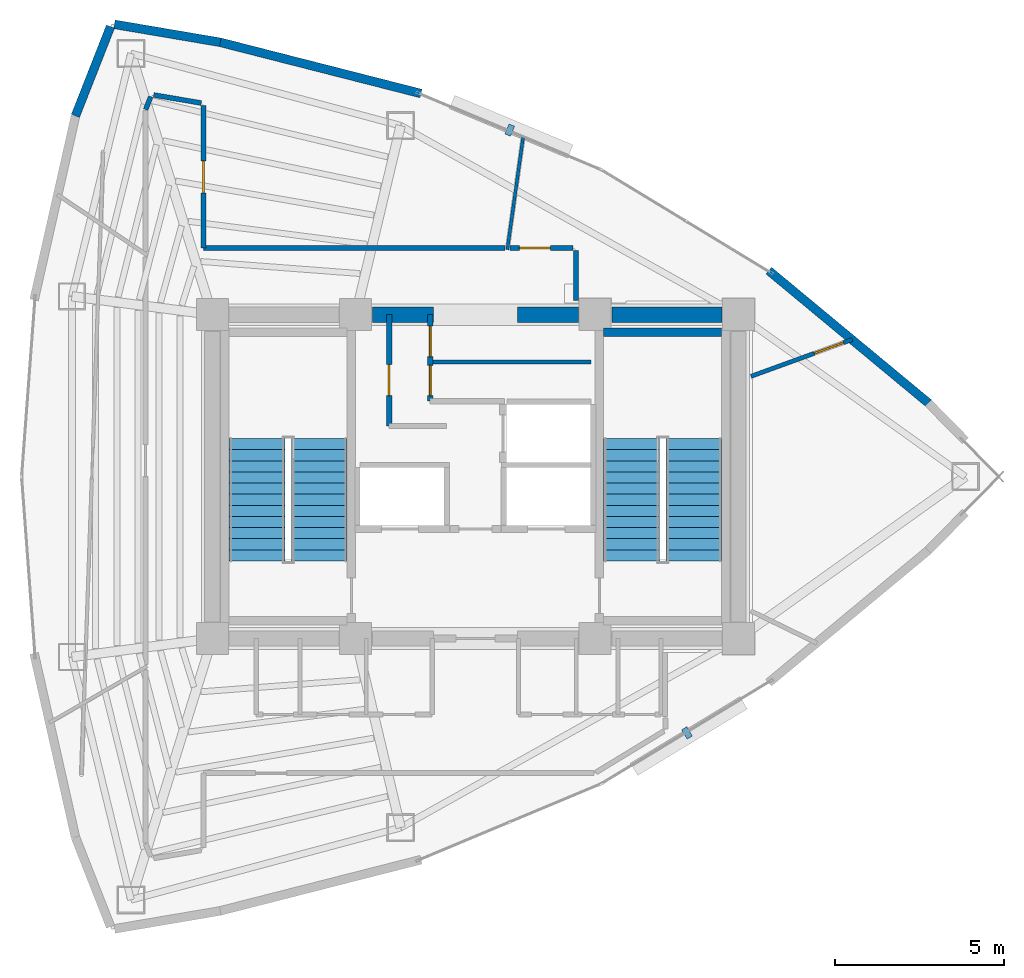
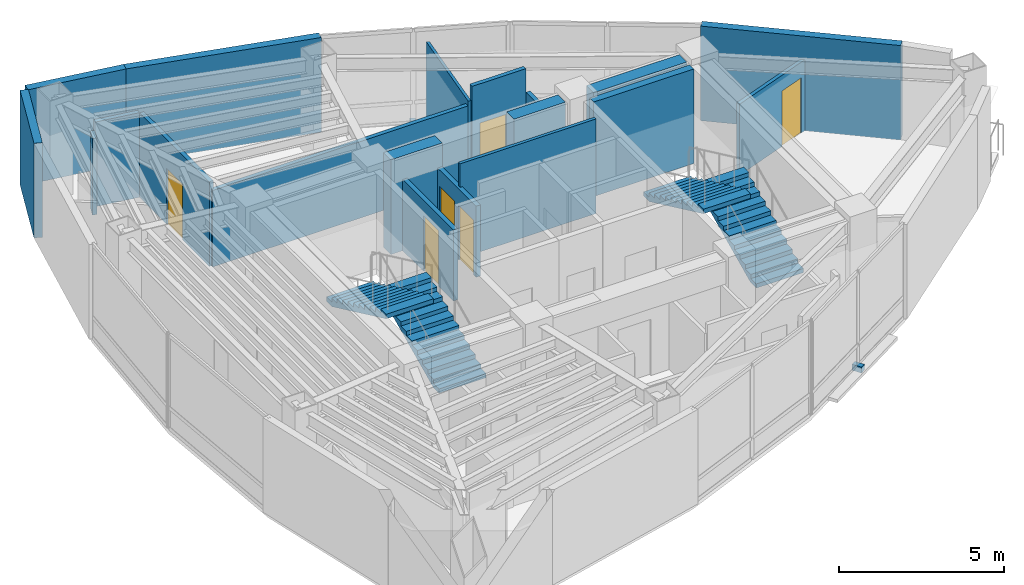
# One storey, part 13 of 16: 19 walls, 6 doors, 4 stair flights, 2 discrete accessories, 6 openings, 2 elements without a shape of their own.
"""IFC4 building model written with IfcOpenShell, lengths in metres."""

from ifc_helpers import new_model, si_unit, direction, frame, frame_2d, origin, origin_2d, place, context, subcontext, project, spatial, polyline, rectangle, outline, extrude, material, layer, layer_set, type_object, element, fill, aggregate, save


model = new_model("IFC4")

# Units and contexts
model_context = context("Model", 3, precision=1e-05, world=origin(), true_north=direction((0.0, 1.0)))
body_context = subcontext(model_context, "Body", "Model", "MODEL_VIEW")
ifc_project = project(units=[si_unit("LENGTHUNIT", "METRE"), si_unit("AREAUNIT", "SQUARE_METRE"), si_unit("VOLUMEUNIT", "CUBIC_METRE"), si_unit("PLANEANGLEUNIT", "RADIAN"), si_unit("MASSUNIT", "GRAM", prefix="KILO")], contexts=[model_context])

# Site, building, storey
site_placement = place(None, origin())
site = spatial("IfcSite", under=ifc_project, at=site_placement, CompositionType="ELEMENT")
building_placement = place(site_placement, origin())
building = spatial("IfcBuilding", under=site, at=building_placement, Name="Menara Vayukalpa", CompositionType="ELEMENT")
storey_placement = place(building_placement, frame((0.0, 0.0, 273.179931640625)))
storey = spatial("IfcBuildingStorey", under=building, at=storey_placement, Name="L69", CompositionType="ELEMENT", Elevation=273.179931640625)

# Walls
ifc_material_1 = material(Name="Concrete C50/60", Category="concrete")
ifc_layer_1 = layer(ifc_material_1, 0.449951171875)
ifc_layer_set_1 = layer_set([ifc_layer_1], Name="Concrete C50/60")
wall_type_1 = type_object("IfcWallType", Name="WAL-CW450", PredefinedType="SHEAR", material=ifc_layer_set_1)
wall_1_placement = place(storey_placement, frame((22.544921875, 26.800048828125, 0.0), z_axis=(0.0, 0.0, 1.0), x_axis=(1.0, 0.0, 0.0)))
element("IfcWall", 1, at=wall_1_placement, inside=storey, type_object=wall_type_1, Name="L69 Buttressed Core Shear Wall CWN2", PredefinedType="SHEAR", context=body_context, shape_type="SweptSolid", body=[
    extrude(rectangle(XDim=1.80517578125, YDim=0.449951171875, at=frame_2d((0.902587890625, 0.0))), origin(), (0.0, 0.0, 1.0), 3.5),
])
wall_2_placement = place(storey_placement, frame((26.85009765625, 26.800048828125, 0.0), z_axis=(0.0, 0.0, 1.0), x_axis=(1.0, 0.0, 0.0)))
element("IfcWall", 2, at=wall_2_placement, inside=storey, type_object=wall_type_1, Name="L69 Buttressed Core Shear Wall CWN3", PredefinedType="SHEAR", context=body_context, shape_type="SweptSolid", body=[
    extrude(rectangle(XDim=1.804931640625, YDim=0.449951171875, at=frame_2d((0.90234375, 0.0))), origin(), (0.0, 0.0, 1.0), 3.5),
])
wall_3_placement = place(storey_placement, frame((29.64501953125, 26.800048828125, 0.0), z_axis=(0.0, 0.0, 1.0), x_axis=(1.0, 0.0, 0.0)))
element("IfcWall", 3, at=wall_3_placement, inside=storey, type_object=wall_type_1, Name="L69 Buttressed Core Shear Wall CWN4", PredefinedType="SHEAR", context=body_context, shape_type="SweptSolid", body=[
    extrude(rectangle(XDim=3.260009765625, YDim=0.449951171875, at=frame_2d((1.6298828125, 0.0))), origin(), (0.0, 0.0, 1.0), 3.5),
])
ifc_material_2 = material(Name="Insulated Precast Concrete C40/50", Category="concrete")
ifc_layer_2 = layer(ifc_material_2, 0.260009765625)
ifc_layer_set_2 = layer_set([ifc_layer_2], Name="Insulated Precast Concrete C40/50")
wall_type_2 = type_object("IfcWallType", Name="WAL-EXT260", PredefinedType="PARTITIONING", material=ifc_layer_set_2)
wall_4_placement = place(storey_placement, frame((34.295166015625, 28.1083984375, 0.0), z_axis=(0.0, 0.0, 1.0), x_axis=(0.769779830138, -0.638309496337, 0.0)))
element("IfcWall", 4, at=wall_4_placement, inside=storey, type_object=wall_type_2, Name="L69 Perimeter Terracotta Pier Wall 03", PredefinedType="PARTITIONING", context=body_context, shape_type="SweptSolid", body=[
    extrude(rectangle(XDim=6.154052734375, YDim=0.260009765625, at=frame_2d((3.0771484375, 0.0))), origin(), (0.0, 0.0, 1.0), 3.5),
])
wall_5_placement = place(storey_placement, frame((18.0244140625, 34.878662109375, 0.0), z_axis=(0.0, 0.0, 1.0), x_axis=(0.968988278672, -0.247106689096, 0.0)))
element("IfcWall", 5, at=wall_5_placement, inside=storey, type_object=wall_type_2, Name="L69 Perimeter Terracotta Pier Wall 06", PredefinedType="PARTITIONING", context=body_context, shape_type="SweptSolid", body=[
    extrude(rectangle(XDim=6.154296875, YDim=0.260009765625, at=frame_2d((3.0771484375, 0.0))), origin(), (0.0, 0.0, 1.0), 3.5),
])
wall_6_placement = place(storey_placement, frame((14.900146484375, 35.40869140625, 0.0), z_axis=(0.0, 0.0, 1.0), x_axis=(0.985889432766, -0.167397808709, 0.0)))
element("IfcWall", 6, at=wall_6_placement, inside=storey, type_object=wall_type_2, Name="L69 Perimeter Terracotta Pier Wall 07", PredefinedType="PARTITIONING", context=body_context, shape_type="SweptSolid", body=[
    extrude(rectangle(XDim=3.180908203125, YDim=0.260009765625, at=frame_2d((1.59033203125, 0.0))), origin(), (0.0, 0.0, 1.0), 3.5),
])
wall_7_placement = place(storey_placement, frame((13.741943359375, 32.693359375, 0.0), z_axis=(0.0, 0.0, 1.0), x_axis=(0.36559927932, 0.930772349697, 0.0)))
element("IfcWall", 7, at=wall_7_placement, inside=storey, type_object=wall_type_2, Name="L69 Perimeter Terracotta Pier Wall 08", PredefinedType="PARTITIONING", context=body_context, shape_type="SweptSolid", body=[
    extrude(rectangle(XDim=2.845458984375, YDim=0.260009765625, at=frame_2d((1.4228515625, 0.0))), origin(), (0.0, 0.0, 1.0), 3.5),
])

# Wall, opening, door
ifc_material_3 = material(Name="Lightweight Concrete Blockwork C16/20", Category="masonry")
ifc_layer_3 = layer(ifc_material_3, 0.159912109375)
ifc_layer_set_3 = layer_set([ifc_layer_3], Name="Lightweight Concrete Blockwork C16/20")
wall_type_3 = type_object("IfcWallType", Name="WAL-FR150", PredefinedType="PARTITIONING", material=ifc_layer_set_3)
wall_8_placement = place(storey_placement, frame((23.0400390625, 23.5, 0.0), z_axis=(0.0, 0.0, 1.0), x_axis=(0.0, 1.0, 0.0)))
wall_8 = element("IfcWall", 8, at=wall_8_placement, inside=storey, type_object=wall_type_3, Name="L69 Interior Partition IW-L69-LV7WB", PredefinedType="PARTITIONING", context=body_context, shape_type="SweptSolid", body=[
    extrude(rectangle(XDim=3.300048828125, YDim=0.159912109375, at=frame_2d((1.64990234375, 0.0))), origin(), (0.0, 0.0, 1.0), 2.630126953125),
])
opening_1_placement = place(wall_8_placement, frame((0.89990234375, 0.0, 0.0)))
opening_1 = element("IfcOpeningElement", 9, at=opening_1_placement, cuts=wall_8, Name="Opening ID6", PredefinedType="OPENING", context=body_context, shape_type="SweptSolid", body=[
    extrude(rectangle(XDim=0.919921875, YDim=2.050048828125, at=frame_2d((0.4599609375, 1.02490234375))), frame((0.0, 0.08984375, 0.0), z_axis=(0.0, -1.0, 0.0), x_axis=(1.0, 0.0, 0.0)), (0.0, 0.0, 1.0), 0.179931640625),
])
ifc_material_4 = material(Name="Acoustic Hardwood Veneer Timber Door", Category="wood")
door_type_1 = type_object("IfcDoorType", Name="DR-INT92", OperationType="NOTDEFINED", PredefinedType="DOOR", material=ifc_material_4)
door_1_placement = place(opening_1_placement, origin())
door_1 = element("IfcDoor", 10, at=door_1_placement, inside=storey, type_object=door_type_1, Name="L69 Interior Door DR-L69-LV7W", OperationType="SINGLE_SWING_RIGHT", OverallHeight=2.050048828125, OverallWidth=0.919921875, PredefinedType="DOOR", context=body_context, shape_type="SweptSolid", body=[
    extrude(rectangle(XDim=0.919921875, YDim=2.050048828125, at=frame_2d((0.4599609375, 1.02490234375))), frame((0.0, 0.02490234375, 0.0), z_axis=(0.0, -1.0, 0.0), x_axis=(1.0, 0.0, 0.0)), (0.0, 0.0, 1.0), 0.050048828125),
])
fill(opening_1, door_1)

# Wall, openings, doors
wall_9_placement = place(storey_placement, frame((24.260009765625, 24.239990234375, 0.0), z_axis=(0.0, 0.0, 1.0), x_axis=(0.0, 1.0, 0.0)))
wall_9 = element("IfcWall", 11, at=wall_9_placement, inside=storey, type_object=wall_type_3, Name="L69 Interior Partition IW-L69-LV7EB", PredefinedType="PARTITIONING", context=body_context, shape_type="SweptSolid", body=[
    extrude(rectangle(XDim=2.56005859375, YDim=0.159912109375, at=frame_2d((1.280029296875, 0.0))), origin(), (0.0, 0.0, 1.0), 2.630126953125),
])
opening_2_placement = place(wall_9_placement, frame((0.159912109375, 0.0, 0.0)))
opening_2 = element("IfcOpeningElement", 12, at=opening_2_placement, cuts=wall_9, Name="Opening ID7", PredefinedType="OPENING", context=body_context, shape_type="SweptSolid", body=[
    extrude(rectangle(XDim=0.89990234375, YDim=2.02001953125, at=frame_2d((0.449951171875, 1.010009765625))), frame((0.0, 0.08984375, 0.0), z_axis=(0.0, -1.0, 0.0), x_axis=(1.0, 0.0, 0.0)), (0.0, 0.0, 1.0), 0.179931640625),
])
opening_3_placement = place(wall_9_placement, frame((1.320068359375, 0.0, 0.0)))
opening_3 = element("IfcOpeningElement", 13, at=opening_3_placement, cuts=wall_9, Name="Opening ID7", PredefinedType="OPENING", context=body_context, shape_type="SweptSolid", body=[
    extrude(rectangle(XDim=0.89990234375, YDim=2.02001953125, at=frame_2d((0.449951171875, 1.010009765625))), frame((0.0, 0.08984375, 0.0), z_axis=(0.0, -1.0, 0.0), x_axis=(1.0, 0.0, 0.0)), (0.0, 0.0, 1.0), 0.179931640625),
])
ifc_material_5 = material(Name="Powder-Coated Steel Riser Access Door", Category="steel")
door_type_2 = type_object("IfcDoorType", Name="DR-RISER", OperationType="NOTDEFINED", PredefinedType="DOOR", material=ifc_material_5)
door_2_placement = place(opening_2_placement, origin())
door_2 = element("IfcDoor", 14, at=door_2_placement, inside=storey, type_object=door_type_2, Name="L69 Interior Door DR-L69-LV7E1", OperationType="SINGLE_SWING_LEFT", OverallHeight=2.02001953125, OverallWidth=0.89990234375, PredefinedType="DOOR", context=body_context, shape_type="SweptSolid", body=[
    extrude(rectangle(XDim=0.89990234375, YDim=2.02001953125, at=frame_2d((0.449951171875, 1.010009765625))), frame((0.0, 0.02490234375, 0.0), z_axis=(0.0, -1.0, 0.0), x_axis=(1.0, 0.0, 0.0)), (0.0, 0.0, 1.0), 0.050048828125),
])
fill(opening_2, door_2)
door_3_placement = place(opening_3_placement, origin())
door_3 = element("IfcDoor", 15, at=door_3_placement, inside=storey, type_object=door_type_2, Name="L69 Interior Door DR-L69-LV7E2", OperationType="SINGLE_SWING_RIGHT", OverallHeight=2.02001953125, OverallWidth=0.89990234375, PredefinedType="DOOR", context=body_context, shape_type="SweptSolid", body=[
    extrude(rectangle(XDim=0.89990234375, YDim=2.02001953125, at=frame_2d((0.449951171875, 1.010009765625))), frame((0.0, 0.02490234375, 0.0), z_axis=(0.0, -1.0, 0.0), x_axis=(1.0, 0.0, 0.0)), (0.0, 0.0, 1.0), 0.050048828125),
])
fill(opening_3, door_3)

# Walls
ifc_material_6 = material(Name="Glazed Demountable Office Partition", Category="glass")
ifc_layer_4 = layer(ifc_material_6, 0.094970703125)
ifc_layer_set_4 = layer_set([ifc_layer_4], Name="Glazed Demountable Office Partition")
wall_type_4 = type_object("IfcWallType", Name="WAL-PT100", PredefinedType="PARTITIONING", material=ifc_layer_set_4)
wall_10_placement = place(storey_placement, frame((26.5458984375, 28.72998046875, 0.0), z_axis=(0.0, 0.0, 1.0), x_axis=(0.139120086599, 0.990275517977, 0.0)))
element("IfcWall", 16, at=wall_10_placement, inside=storey, type_object=wall_type_4, Name="L69 Interior Partition IW-L69-RDIV02", PredefinedType="PARTITIONING", context=body_context, shape_type="SweptSolid", body=[
    extrude(rectangle(XDim=3.386962890625, YDim=0.094970703125, at=frame_2d((1.693359375, 0.0))), origin(), (0.0, 0.0, 1.0), 2.97998046875),
])
ifc_material_7 = material(Name="Acoustic Mineral Stud Partition", Category="masonry")
ifc_layer_5 = layer(ifc_material_7, 0.110107421875)
ifc_layer_set_5 = layer_set([ifc_layer_5], Name="Acoustic Mineral Stud Partition")
wall_type_5 = type_object("IfcWallType", Name="WAL-PT110", PredefinedType="PARTITIONING", material=ifc_layer_set_5)
wall_11_placement = place(storey_placement, frame((24.260009765625, 25.39990234375, 0.0), z_axis=(0.0, 0.0, 1.0), x_axis=(1.0, 0.0, 0.0)))
element("IfcWall", 17, at=wall_11_placement, inside=storey, type_object=wall_type_5, Name="L69 Interior Partition IW-L69-LV7EM", PredefinedType="PARTITIONING", context=body_context, shape_type="SweptSolid", body=[
    extrude(rectangle(XDim=4.760009765625, YDim=0.110107421875, at=frame_2d((2.3798828125, 0.0))), origin(), (0.0, 0.0, 1.0), 3.5),
])

# Wall, opening, door
ifc_material_8 = material(Name="Gypsum Drywall Steel Stud Assembly", Category="steel")
ifc_layer_6 = layer(ifc_material_8, 0.125)
ifc_layer_set_6 = layer_set([ifc_layer_6], Name="Gypsum Drywall Steel Stud Assembly")
wall_type_6 = type_object("IfcWallType", Name="WAL-PT125", PredefinedType="PARTITIONING", material=ifc_layer_set_6)
wall_12_placement = place(storey_placement, frame((33.77001953125, 24.9736328125, 0.0), z_axis=(0.0, 0.0, 1.0), x_axis=(0.939697478327, 0.342006797047, 0.0)))
wall_12 = element("IfcWall", 18, at=wall_12_placement, inside=storey, type_object=wall_type_6, Name="L69 Interior Partition IW-L69-RDIV01", PredefinedType="PARTITIONING", context=body_context, shape_type="SweptSolid", body=[
    extrude(rectangle(XDim=3.19580078125, YDim=0.125, at=frame_2d((1.597900390625, 0.0))), origin(), (0.0, 0.0, 1.0), 2.630126953125),
])
opening_4_placement = place(wall_12_placement, frame((1.995849609375, 0.0, 0.0)))
opening_4 = element("IfcOpeningElement", 19, at=opening_4_placement, cuts=wall_12, Name="Opening ID6", PredefinedType="OPENING", context=body_context, shape_type="SweptSolid", body=[
    extrude(rectangle(XDim=0.919921875, YDim=2.050048828125, at=frame_2d((0.4599609375, 1.02490234375))), frame((0.0, 0.072509765625, 0.0), z_axis=(0.0, -1.0, 0.0), x_axis=(1.0, 0.0, 0.0)), (0.0, 0.0, 1.0), 0.14501953125),
])
door_4_placement = place(opening_4_placement, origin())
door_4 = element("IfcDoor", 20, at=door_4_placement, inside=storey, type_object=door_type_1, Name="L69 Interior Door DR-L69-STE03", OperationType="SINGLE_SWING_LEFT", OverallHeight=2.050048828125, OverallWidth=0.919921875, PredefinedType="DOOR", context=body_context, shape_type="SweptSolid", body=[
    extrude(rectangle(XDim=0.919921875, YDim=2.050048828125, at=frame_2d((0.4599609375, 1.02490234375))), frame((0.0, 0.02490234375, 0.0), z_axis=(0.0, -1.0, 0.0), x_axis=(1.0, 0.0, 0.0)), (0.0, 0.0, 1.0), 0.050048828125),
])
fill(opening_4, door_4)

# Wall
ifc_material_9 = material(Name="Gypsum Drywall Acoustic Stud Assembly", Category="masonry")
ifc_layer_7 = layer(ifc_material_9, 0.14501953125)
ifc_layer_set_7 = layer_set([ifc_layer_7], Name="Gypsum Drywall Acoustic Stud Assembly")
wall_type_7 = type_object("IfcWallType", Name="WAL-PT150", PredefinedType="PARTITIONING", material=ifc_layer_set_7)
wall_13_placement = place(storey_placement, frame((28.580078125, 27.219970703125, 0.0), z_axis=(0.0, 0.0, 1.0), x_axis=(0.0, 1.0, 0.0)))
element("IfcWall", 21, at=wall_13_placement, inside=storey, type_object=wall_type_7, Name="L69 Interior Partition IW-L69-CRM04-1", PredefinedType="PARTITIONING", context=body_context, shape_type="SweptSolid", body=[
    extrude(rectangle(XDim=1.47998046875, YDim=0.14501953125, at=frame_2d((0.739990234375, 0.0))), origin(), (0.0, 0.0, 1.0), 2.630126953125),
])

# Wall, opening, door
wall_14_placement = place(storey_placement, frame((28.5, 28.780029296875, 0.0), z_axis=(0.0, 0.0, 1.0), x_axis=(-1.0, 0.0, 0.0)))
wall_14 = element("IfcWall", 22, at=wall_14_placement, inside=storey, type_object=wall_type_7, Name="L69 Interior Partition IW-L69-CRM04-2", PredefinedType="PARTITIONING", context=body_context, shape_type="SweptSolid", body=[
    extrude(rectangle(XDim=1.87646484375, YDim=0.14501953125, at=frame_2d((0.938232421875, 0.0))), origin(), (0.0, 0.0, 1.0), 3.5),
])
opening_5_placement = place(wall_14_placement, frame((0.676513671875, 0.0, 0.0)))
opening_5 = element("IfcOpeningElement", 23, at=opening_5_placement, cuts=wall_14, Name="Opening ID6", PredefinedType="OPENING", context=body_context, shape_type="SweptSolid", body=[
    extrude(rectangle(XDim=0.919921875, YDim=2.050048828125, at=frame_2d((0.4599609375, 1.02490234375))), frame((0.0, 0.08251953125, 0.0), z_axis=(0.0, -1.0, 0.0), x_axis=(1.0, 0.0, 0.0)), (0.0, 0.0, 1.0), 0.1650390625),
])
door_5_placement = place(opening_5_placement, origin())
door_5 = element("IfcDoor", 24, at=door_5_placement, inside=storey, type_object=door_type_1, Name="L69 Interior Door DR-L69-RM04", OperationType="SINGLE_SWING_RIGHT", OverallHeight=2.050048828125, OverallWidth=0.919921875, PredefinedType="DOOR", context=body_context, shape_type="SweptSolid", body=[
    extrude(rectangle(XDim=0.919921875, YDim=2.050048828125, at=frame_2d((0.4599609375, 1.02490234375))), frame((0.0, 0.02490234375, 0.0), z_axis=(0.0, -1.0, 0.0), x_axis=(1.0, 0.0, 0.0)), (0.0, 0.0, 1.0), 0.050048828125),
])
fill(opening_5, door_5)

# Wall
wall_15_placement = place(storey_placement, frame((26.482177734375, 28.780029296875, 0.0), z_axis=(0.0, 0.0, 1.0), x_axis=(-1.0, 0.0, 0.0)))
element("IfcWall", 25, at=wall_15_placement, inside=storey, type_object=wall_type_7, Name="L69 Interior Partition IW-L69-CRM05-1", PredefinedType="PARTITIONING", context=body_context, shape_type="SweptSolid", body=[
    extrude(rectangle(XDim=8.942138671875, YDim=0.14501953125, at=frame_2d((4.47119140625, 0.0))), origin(), (0.0, 0.0, 1.0), 2.830078125),
])

# Wall, opening, door
wall_16_placement = place(storey_placement, frame((17.5400390625, 28.780029296875, 0.0), z_axis=(0.0, 0.0, 1.0), x_axis=(0.0, 1.0, 0.0)))
wall_16 = element("IfcWall", 26, at=wall_16_placement, inside=storey, type_object=wall_type_7, Name="L69 Interior Partition IW-L69-CRM05-2", PredefinedType="PARTITIONING", context=body_context, shape_type="SweptSolid", body=[
    extrude(rectangle(XDim=4.216064453125, YDim=0.14501953125, at=frame_2d((2.10791015625, 0.0))), origin(), (0.0, 0.0, 1.0), 3.130126953125),
])
opening_6_placement = place(wall_16_placement, frame((1.633056640625, 0.0, 0.0)))
opening_6 = element("IfcOpeningElement", 27, at=opening_6_placement, cuts=wall_16, Name="Opening ID5", PredefinedType="OPENING", context=body_context, shape_type="SweptSolid", body=[
    extrude(rectangle(XDim=0.949951171875, YDim=2.06005859375, at=frame_2d((0.47509765625, 1.030029296875))), frame((0.0, 0.08251953125, 0.0), z_axis=(0.0, -1.0, 0.0), x_axis=(1.0, 0.0, 0.0)), (0.0, 0.0, 1.0), 0.1650390625),
])
ifc_material_10 = material(Name="Acoustic Hardwood Veneer Timber Door", Category="wood")
door_type_3 = type_object("IfcDoorType", Name="DR-INT95", OperationType="NOTDEFINED", PredefinedType="DOOR", material=ifc_material_10)
door_6_placement = place(opening_6_placement, origin())
door_6 = element("IfcDoor", 28, at=door_6_placement, inside=storey, type_object=door_type_3, Name="L69 Interior Door DR-L69-RM05", OperationType="SINGLE_SWING_LEFT", OverallHeight=2.06005859375, OverallWidth=0.949951171875, PredefinedType="DOOR", context=body_context, shape_type="SweptSolid", body=[
    extrude(rectangle(XDim=0.949951171875, YDim=2.06005859375, at=frame_2d((0.47509765625, 1.030029296875))), frame((0.0, 0.02490234375, 0.0), z_axis=(0.0, -1.0, 0.0), x_axis=(1.0, 0.0, 0.0)), (0.0, 0.0, 1.0), 0.050048828125),
])
fill(opening_6, door_6)

# Walls
wall_17_placement = place(storey_placement, frame((17.473388671875, 33.074951171875, 0.0), z_axis=(0.0, 0.0, 1.0), x_axis=(-0.985881780308, 0.167442871621, 0.0)))
element("IfcWall", 29, at=wall_17_placement, inside=storey, type_object=wall_type_7, Name="L69 Interior Partition IW-L69-CRM05-3", PredefinedType="PARTITIONING", context=body_context, shape_type="SweptSolid", body=[
    extrude(rectangle(XDim=1.430419921875, YDim=0.14501953125, at=frame_2d((0.71533203125, 0.0))), origin(), (0.0, 0.0, 1.0), 3.130126953125),
])
wall_18_placement = place(storey_placement, frame((15.975341796875, 33.2646484375, 0.0), z_axis=(0.0, 0.0, 1.0), x_axis=(-0.365633948196, -0.930758731319, 0.0)))
element("IfcWall", 30, at=wall_18_placement, inside=storey, type_object=wall_type_7, Name="L69 Interior Partition IW-L69-CRM05-4", PredefinedType="PARTITIONING", context=body_context, shape_type="SweptSolid", body=[
    extrude(rectangle(XDim=0.409912109375, YDim=0.14501953125, at=frame_2d((0.205078125, 0.0))), origin(), (0.0, 0.0, 1.0), 2.830078125),
])
ifc_material_11 = material(Name="Concrete C50/60", Category="concrete")
ifc_layer_8 = layer(ifc_material_11, 0.25)
ifc_layer_set_8 = layer_set([ifc_layer_8], Name="Concrete C50/60")
wall_type_8 = type_object("IfcWallType", Name="WAL-SW250", PredefinedType="SHEAR", material=ifc_layer_set_8)
wall_19_placement = place(storey_placement, frame((29.39990234375, 26.27490234375, 0.0), z_axis=(0.0, 0.0, 1.0), x_axis=(1.0, 0.0, 0.0)))
element("IfcWall", 31, at=wall_19_placement, inside=storey, type_object=wall_type_8, Name="L69 ST2 Structural Stair Shaft Wall N", PredefinedType="SHEAR", context=body_context, shape_type="SweptSolid", body=[
    extrude(rectangle(XDim=3.5, YDim=0.25, at=frame_2d((1.75, 0.0))), origin(), (0.0, 0.0, 1.0), 3.5),
])

# Stair, stair flights
ifc_material_12 = material(Name="Precast Concrete C40/50", Category="concrete")
stair_type = type_object("IfcStairType", Name="STR-T04", PredefinedType="DOUBLE_RETURN_STAIR", material=ifc_material_12)
stair_1_placement = place(storey_placement, origin())
stair_1 = element("IfcStair", 32, at=stair_1_placement, inside=storey, type_object=stair_type, Name="L69 Core Exit Stair ST-1", PredefinedType="DOUBLE_RETURN_STAIR")
ifc_material_13 = material(Name="Precast Concrete C40/50", Category="concrete")
stair_flight_type = type_object("IfcStairFlightType", Name="STF-T04", PredefinedType="STRAIGHT", material=ifc_material_13)
stair_flight_1_placement = place(storey_placement, frame((20.97509765625, 19.5, 0.0), z_axis=(0.0, 0.0, 1.0), x_axis=(0.0, 1.0, 0.0)))
stair_flight_1 = element("IfcStairFlight", 33, at=stair_flight_1_placement, type_object=stair_flight_type, Name="ST-1 flight 1", NumberOfRisers=12, NumberOfTreads=11, PredefinedType="STRAIGHT", RiserHeight=0.155, TreadLength=0.33, context=body_context, shape_type="SweptSolid", body=[
    extrude(outline(polyline([(0.0, 0.0), (0.0, 0.155029296875), (0.330078125, 0.155029296875), (0.330078125, 0.31005859375), (0.659912109375, 0.31005859375), (0.659912109375, 0.465087890625), (0.989990234375, 0.465087890625), (0.989990234375, 0.6201171875), (1.320068359375, 0.6201171875), (1.320068359375, 0.77490234375), (1.64990234375, 0.77490234375), (1.64990234375, 0.929931640625), (1.97998046875, 0.929931640625), (1.97998046875, 1.0849609375), (2.31005859375, 1.0849609375), (2.31005859375, 1.239990234375), (2.639892578125, 1.239990234375), (2.639892578125, 1.39501953125), (2.969970703125, 1.39501953125), (2.969970703125, 1.550048828125), (3.300048828125, 1.550048828125), (3.300048828125, 1.705078125), (3.6298828125, 1.705078125), (3.6298828125, 1.860107421875), (3.6298828125, 1.539306640625), (0.3525390625, 0.0), (0.0, 0.0)])), frame((0.0, 0.824951171875, 0.0), z_axis=(0.0, -1.0, 0.0), x_axis=(1.0, 0.0, 0.0)), (0.0, 0.0, 1.0), 1.64990234375),
])
stair_flight_2_placement = place(storey_placement, frame((19.125, 23.1298828125, 1.860107421875), z_axis=(0.0, 0.0, 1.0), x_axis=(0.0, -1.0, 0.0)))
stair_flight_2 = element("IfcStairFlight", 34, at=stair_flight_2_placement, type_object=stair_flight_type, Name="ST-1 flight 2", NumberOfRisers=12, NumberOfTreads=11, PredefinedType="STRAIGHT", RiserHeight=0.155, TreadLength=0.33, context=body_context, shape_type="SweptSolid", body=[
    extrude(outline(polyline([(0.0, 0.0), (0.0, 0.155029296875), (0.330078125, 0.155029296875), (0.330078125, 0.31005859375), (0.659912109375, 0.31005859375), (0.659912109375, 0.465087890625), (0.989990234375, 0.465087890625), (0.989990234375, 0.6201171875), (1.320068359375, 0.6201171875), (1.320068359375, 0.77490234375), (1.64990234375, 0.77490234375), (1.64990234375, 0.929931640625), (1.97998046875, 0.929931640625), (1.97998046875, 1.0849609375), (2.31005859375, 1.0849609375), (2.31005859375, 1.239990234375), (2.639892578125, 1.239990234375), (2.639892578125, 1.39501953125), (2.969970703125, 1.39501953125), (2.969970703125, 1.550048828125), (3.300048828125, 1.550048828125), (3.300048828125, 1.705078125), (3.6298828125, 1.705078125), (3.6298828125, 1.860107421875), (3.6298828125, 1.539306640625), (0.3525390625, 0.0), (0.0, 0.0)])), frame((0.0, 0.824951171875, 0.0), z_axis=(0.0, -1.0, 0.0), x_axis=(1.0, 0.0, 0.0)), (0.0, 0.0, 1.0), 1.64990234375),
])
aggregate(stair_1, [stair_flight_1, stair_flight_2])

stair_2_placement = place(storey_placement, origin())
stair_2 = element("IfcStair", 35, at=stair_2_placement, inside=storey, type_object=stair_type, Name="L69 Core Exit Stair ST-2", PredefinedType="DOUBLE_RETURN_STAIR")
stair_flight_3_placement = place(storey_placement, frame((32.074951171875, 19.5, 0.0), z_axis=(0.0, 0.0, 1.0), x_axis=(0.0, 1.0, 0.0)))
stair_flight_3 = element("IfcStairFlight", 36, at=stair_flight_3_placement, type_object=stair_flight_type, Name="ST-2 flight 1", NumberOfRisers=12, NumberOfTreads=11, PredefinedType="STRAIGHT", RiserHeight=0.155, TreadLength=0.33, context=body_context, shape_type="SweptSolid", body=[
    extrude(outline(polyline([(0.0, 0.0), (0.0, 0.155029296875), (0.330078125, 0.155029296875), (0.330078125, 0.31005859375), (0.659912109375, 0.31005859375), (0.659912109375, 0.465087890625), (0.989990234375, 0.465087890625), (0.989990234375, 0.6201171875), (1.320068359375, 0.6201171875), (1.320068359375, 0.77490234375), (1.64990234375, 0.77490234375), (1.64990234375, 0.929931640625), (1.97998046875, 0.929931640625), (1.97998046875, 1.0849609375), (2.31005859375, 1.0849609375), (2.31005859375, 1.239990234375), (2.639892578125, 1.239990234375), (2.639892578125, 1.39501953125), (2.969970703125, 1.39501953125), (2.969970703125, 1.550048828125), (3.300048828125, 1.550048828125), (3.300048828125, 1.705078125), (3.6298828125, 1.705078125), (3.6298828125, 1.860107421875), (3.6298828125, 1.539306640625), (0.3525390625, 0.0), (0.0, 0.0)])), frame((0.0, 0.824951171875, 0.0), z_axis=(0.0, -1.0, 0.0), x_axis=(1.0, 0.0, 0.0)), (0.0, 0.0, 1.0), 1.64990234375),
])
stair_flight_4_placement = place(storey_placement, frame((30.22509765625, 23.1298828125, 1.860107421875), z_axis=(0.0, 0.0, 1.0), x_axis=(0.0, -1.0, 0.0)))
stair_flight_4 = element("IfcStairFlight", 37, at=stair_flight_4_placement, type_object=stair_flight_type, Name="ST-2 flight 2", NumberOfRisers=12, NumberOfTreads=11, PredefinedType="STRAIGHT", RiserHeight=0.155, TreadLength=0.33, context=body_context, shape_type="SweptSolid", body=[
    extrude(outline(polyline([(0.0, 0.0), (0.0, 0.155029296875), (0.330078125, 0.155029296875), (0.330078125, 0.31005859375), (0.659912109375, 0.31005859375), (0.659912109375, 0.465087890625), (0.989990234375, 0.465087890625), (0.989990234375, 0.6201171875), (1.320068359375, 0.6201171875), (1.320068359375, 0.77490234375), (1.64990234375, 0.77490234375), (1.64990234375, 0.929931640625), (1.97998046875, 0.929931640625), (1.97998046875, 1.0849609375), (2.31005859375, 1.0849609375), (2.31005859375, 1.239990234375), (2.639892578125, 1.239990234375), (2.639892578125, 1.39501953125), (2.969970703125, 1.39501953125), (2.969970703125, 1.550048828125), (3.300048828125, 1.550048828125), (3.300048828125, 1.705078125), (3.6298828125, 1.705078125), (3.6298828125, 1.860107421875), (3.6298828125, 1.539306640625), (0.3525390625, 0.0), (0.0, 0.0)])), frame((0.0, 0.824951171875, 0.0), z_axis=(0.0, -1.0, 0.0), x_axis=(1.0, 0.0, 0.0)), (0.0, 0.0, 1.0), 1.64990234375),
])
aggregate(stair_2, [stair_flight_3, stair_flight_4])

# Discrete accessories
ifc_material_14 = material(Name="Stainless Steel 316 Sunshade Bracket", Category="steel")
discrete_accessory_type = type_object("IfcDiscreteAccessoryType", Name="ACC-BRK1", PredefinedType="BRACKET", material=ifc_material_14)
for number, where, z_axis, x_axis, name in (
    (38, (26.61767578125, 32.272705078125, -0.16015625), (0.0, 0.0, 1.0), (-0.922538089456, 0.385906042324, 0.0), "L69 Terracotta Sunshade Bracket 05"),
    (39, (31.87109375, 14.402587890625, -0.16015625), (0.0, 0.0, 1.0), (0.85466730962, 0.519176068272, 0.0), "L69 Terracotta Sunshade Bracket 17"),
):
    element("IfcDiscreteAccessory", number, at=place(storey_placement, frame(where, z_axis=z_axis, x_axis=x_axis)), inside=storey, type_object=discrete_accessory_type, Name=name, PredefinedType="BRACKET", context=body_context, shape_type="SweptSolid", body=[
        extrude(rectangle(XDim=0.179931640625, YDim=0.320068359375, at=origin_2d()), origin(), (0.0, 0.0, 1.0), 0.219970703125),
    ])

save(model, "model.ifc")
